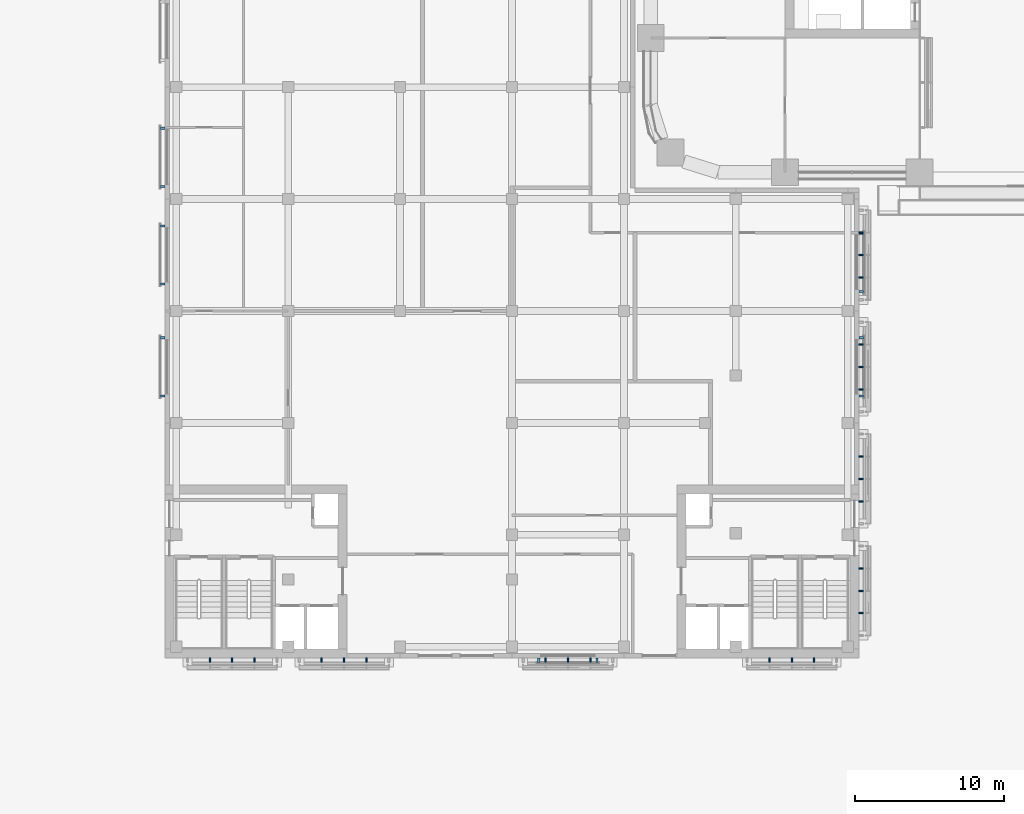
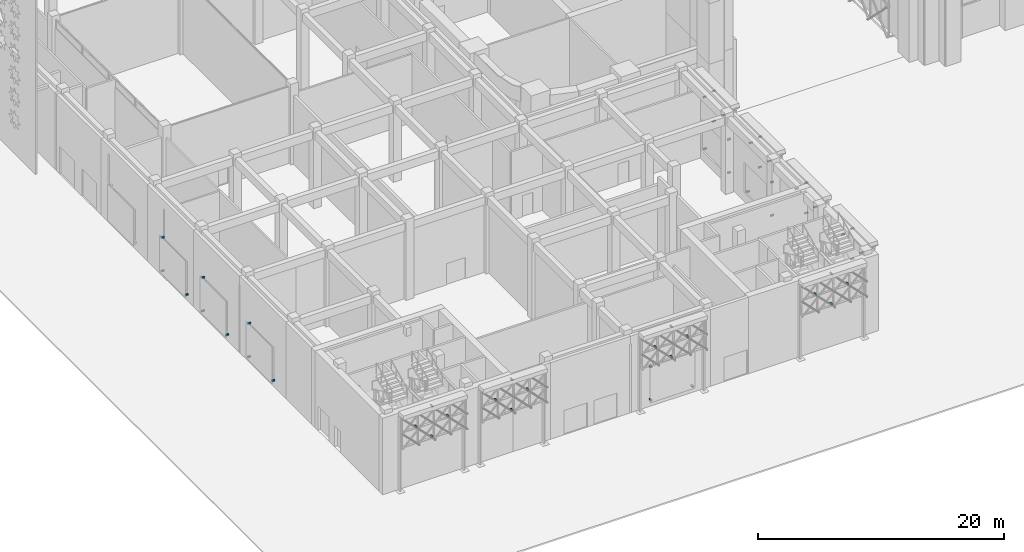
# One storey, part 41 of 64: 50 discrete accessories.
"""IFC4 building model written with IfcOpenShell, lengths in metres."""

from ifc_helpers import new_model, si_unit, direction, frame, origin, origin_2d, place, context, subcontext, project, spatial, rectangle, extrude, element, save


model = new_model("IFC4")

# Units and contexts
model_context = context("Model", 3, precision=1e-05, world=origin(), true_north=direction((0.0, 1.0)))
body_context = subcontext(model_context, "Body", "Model", "MODEL_VIEW")
ifc_project = project(units=[si_unit("LENGTHUNIT", "METRE"), si_unit("AREAUNIT", "SQUARE_METRE"), si_unit("VOLUMEUNIT", "CUBIC_METRE"), si_unit("PLANEANGLEUNIT", "RADIAN"), si_unit("MASSUNIT", "GRAM", prefix="KILO")], contexts=[model_context])

# Site, building, storey
site_placement = place(None, origin())
site = spatial("IfcSite", under=ifc_project, at=site_placement, CompositionType="ELEMENT")
building_placement = place(site_placement, origin())
building = spatial("IfcBuilding", under=site, at=building_placement, Name="Tessera Arch", CompositionType="ELEMENT")
storey_placement = place(building_placement, origin())
storey = spatial("IfcBuildingStorey", under=building, at=storey_placement, Name="L00", CompositionType="ELEMENT", Elevation=0.0)

# Discrete accessories
for number, where, z_axis, x_axis, name in (
    (1, (-7.5, -32.699951171875, 0.675048828125), (0.0, 0.0, 1.0), (0.0, -1.0, 0.0), "Screen bracket"),
    (2, (-3.60009765625, -32.699951171875, 0.675048828125), (0.0, 0.0, 1.0), (0.0, -1.0, 0.0), "Screen bracket"),
    (3, (-7.5, -32.699951171875, 3.97509765625), (0.0, 0.0, 1.0), (0.0, -1.0, 0.0), "Screen bracket"),
    (4, (14.10009765625, -15.0, 0.675048828125), (0.0, 0.0, 1.0), (1.0, 0.0, 0.0), "Screen bracket"),
    (5, (14.10009765625, -11.10009765625, 0.675048828125), (0.0, 0.0, 1.0), (1.0, 0.0, 0.0), "Screen bracket"),
    (6, (14.10009765625, -15.0, 3.97509765625), (0.0, 0.0, 1.0), (1.0, 0.0, 0.0), "Screen bracket"),
    (7, (14.10009765625, -8.0, 0.675048828125), (0.0, 0.0, 1.0), (1.0, 0.0, 0.0), "Screen bracket"),
    (8, (14.10009765625, -4.10009765625, 0.675048828125), (0.0, 0.0, 1.0), (1.0, 0.0, 0.0), "Screen bracket"),
    (9, (14.10009765625, -8.0, 3.97509765625), (0.0, 0.0, 1.0), (1.0, 0.0, 0.0), "Screen bracket"),
    (10, (-32.699951171875, 2.949951171875, 0.675048828125), (0.0, 0.0, 1.0), (-1.0, 0.0, 0.0), "Screen bracket"),
    (11, (-32.699951171875, -0.949951171875, 0.675048828125), (0.0, 0.0, 1.0), (-1.0, 0.0, 0.0), "Screen bracket"),
    (12, (-32.699951171875, 2.949951171875, 3.97509765625), (0.0, 0.0, 1.0), (-1.0, 0.0, 0.0), "Screen bracket"),
    (13, (-32.699951171875, -3.60009765625, 0.675048828125), (0.0, 0.0, 1.0), (-1.0, 0.0, 0.0), "Screen bracket"),
    (14, (-32.699951171875, -7.5, 0.675048828125), (0.0, 0.0, 1.0), (-1.0, 0.0, 0.0), "Screen bracket"),
    (15, (-32.699951171875, -3.60009765625, 3.97509765625), (0.0, 0.0, 1.0), (-1.0, 0.0, 0.0), "Screen bracket"),
    (16, (-32.699951171875, -11.10009765625, 0.675048828125), (0.0, 0.0, 1.0), (-1.0, 0.0, 0.0), "Screen bracket"),
    (17, (-32.699951171875, -15.0, 0.675048828125), (0.0, 0.0, 1.0), (-1.0, 0.0, 0.0), "Screen bracket"),
    (18, (-32.699951171875, -11.10009765625, 3.97509765625), (0.0, 0.0, 1.0), (-1.0, 0.0, 0.0), "Screen bracket"),
):
    element("IfcDiscreteAccessory", number, at=place(storey_placement, frame(where, z_axis=z_axis, x_axis=x_axis)), inside=storey, Name=name, PredefinedType="BRACKET", context=body_context, shape_type="SweptSolid", body=[
        extrude(rectangle(XDim=0.300048828125, YDim=0.14990234375, at=origin_2d()), origin(), (0.0, 0.0, 1.0), 0.14990234375),
    ])
for number, where, z_axis, x_axis, name in (
    (19, (-29.550048828125, -32.699951171875, 5.800048828125), (0.0, 0.0, 1.0), (0.0, -1.0, 0.0), "Lattice bracket"),
    (20, (-28.050048828125, -32.699951171875, 4.300048828125), (0.0, 0.0, 1.0), (0.0, -1.0, 0.0), "Lattice bracket"),
    (21, (-28.050048828125, -32.699951171875, 7.300048828125), (0.0, 0.0, 1.0), (0.0, -1.0, 0.0), "Lattice bracket"),
    (22, (-26.550048828125, -32.699951171875, 5.800048828125), (0.0, 0.0, 1.0), (0.0, -1.0, 0.0), "Lattice bracket"),
    (23, (-22.050048828125, -32.699951171875, 5.800048828125), (0.0, 0.0, 1.0), (0.0, -1.0, 0.0), "Lattice bracket"),
    (24, (-20.550048828125, -32.699951171875, 4.300048828125), (0.0, 0.0, 1.0), (0.0, -1.0, 0.0), "Lattice bracket"),
    (25, (-20.550048828125, -32.699951171875, 7.300048828125), (0.0, 0.0, 1.0), (0.0, -1.0, 0.0), "Lattice bracket"),
    (26, (-19.050048828125, -32.699951171875, 5.800048828125), (0.0, 0.0, 1.0), (0.0, -1.0, 0.0), "Lattice bracket"),
    (27, (-7.050048828125, -32.699951171875, 5.800048828125), (0.0, 0.0, 1.0), (0.0, -1.0, 0.0), "Lattice bracket"),
    (28, (-5.550048828125, -32.699951171875, 4.300048828125), (0.0, 0.0, 1.0), (0.0, -1.0, 0.0), "Lattice bracket"),
    (29, (-5.550048828125, -32.699951171875, 7.300048828125), (0.0, 0.0, 1.0), (0.0, -1.0, 0.0), "Lattice bracket"),
    (30, (-4.050048828125, -32.699951171875, 5.800048828125), (0.0, 0.0, 1.0), (0.0, -1.0, 0.0), "Lattice bracket"),
    (31, (7.949951171875, -32.699951171875, 5.800048828125), (0.0, 0.0, 1.0), (0.0, -1.0, 0.0), "Lattice bracket"),
    (32, (9.449951171875, -32.699951171875, 4.300048828125), (0.0, 0.0, 1.0), (0.0, -1.0, 0.0), "Lattice bracket"),
    (33, (9.449951171875, -32.699951171875, 7.300048828125), (0.0, 0.0, 1.0), (0.0, -1.0, 0.0), "Lattice bracket"),
    (34, (10.949951171875, -32.699951171875, 5.800048828125), (0.0, 0.0, 1.0), (0.0, -1.0, 0.0), "Lattice bracket"),
    (35, (14.10009765625, -29.550048828125, 5.800048828125), (0.0, 0.0, 1.0), (1.0, 0.0, 0.0), "Lattice bracket"),
    (36, (14.10009765625, -28.050048828125, 4.300048828125), (0.0, 0.0, 1.0), (1.0, 0.0, 0.0), "Lattice bracket"),
    (37, (14.10009765625, -28.050048828125, 7.300048828125), (0.0, 0.0, 1.0), (1.0, 0.0, 0.0), "Lattice bracket"),
    (38, (14.10009765625, -26.550048828125, 5.800048828125), (0.0, 0.0, 1.0), (1.0, 0.0, 0.0), "Lattice bracket"),
    (39, (14.10009765625, -22.050048828125, 5.800048828125), (0.0, 0.0, 1.0), (1.0, 0.0, 0.0), "Lattice bracket"),
    (40, (14.10009765625, -20.550048828125, 4.300048828125), (0.0, 0.0, 1.0), (1.0, 0.0, 0.0), "Lattice bracket"),
    (41, (14.10009765625, -20.550048828125, 7.300048828125), (0.0, 0.0, 1.0), (1.0, 0.0, 0.0), "Lattice bracket"),
    (42, (14.10009765625, -19.050048828125, 5.800048828125), (0.0, 0.0, 1.0), (1.0, 0.0, 0.0), "Lattice bracket"),
    (43, (14.10009765625, -14.550048828125, 5.800048828125), (0.0, 0.0, 1.0), (1.0, 0.0, 0.0), "Lattice bracket"),
    (44, (14.10009765625, -13.050048828125, 4.300048828125), (0.0, 0.0, 1.0), (1.0, 0.0, 0.0), "Lattice bracket"),
    (45, (14.10009765625, -13.050048828125, 7.300048828125), (0.0, 0.0, 1.0), (1.0, 0.0, 0.0), "Lattice bracket"),
    (46, (14.10009765625, -11.550048828125, 5.800048828125), (0.0, 0.0, 1.0), (1.0, 0.0, 0.0), "Lattice bracket"),
    (47, (14.10009765625, -7.050048828125, 5.800048828125), (0.0, 0.0, 1.0), (1.0, 0.0, 0.0), "Lattice bracket"),
    (48, (14.10009765625, -5.550048828125, 4.300048828125), (0.0, 0.0, 1.0), (1.0, 0.0, 0.0), "Lattice bracket"),
    (49, (14.10009765625, -5.550048828125, 7.300048828125), (0.0, 0.0, 1.0), (1.0, 0.0, 0.0), "Lattice bracket"),
    (50, (14.10009765625, -4.050048828125, 5.800048828125), (0.0, 0.0, 1.0), (1.0, 0.0, 0.0), "Lattice bracket"),
):
    element("IfcDiscreteAccessory", number, at=place(storey_placement, frame(where, z_axis=z_axis, x_axis=x_axis)), inside=storey, Name=name, PredefinedType="BRACKET", context=body_context, shape_type="SweptSolid", body=[
        extrude(rectangle(XDim=0.300048828125, YDim=0.10009765625, at=origin_2d()), origin(), (0.0, 0.0, 1.0), 0.10009765625),
    ])

save(model, "model.ifc")
